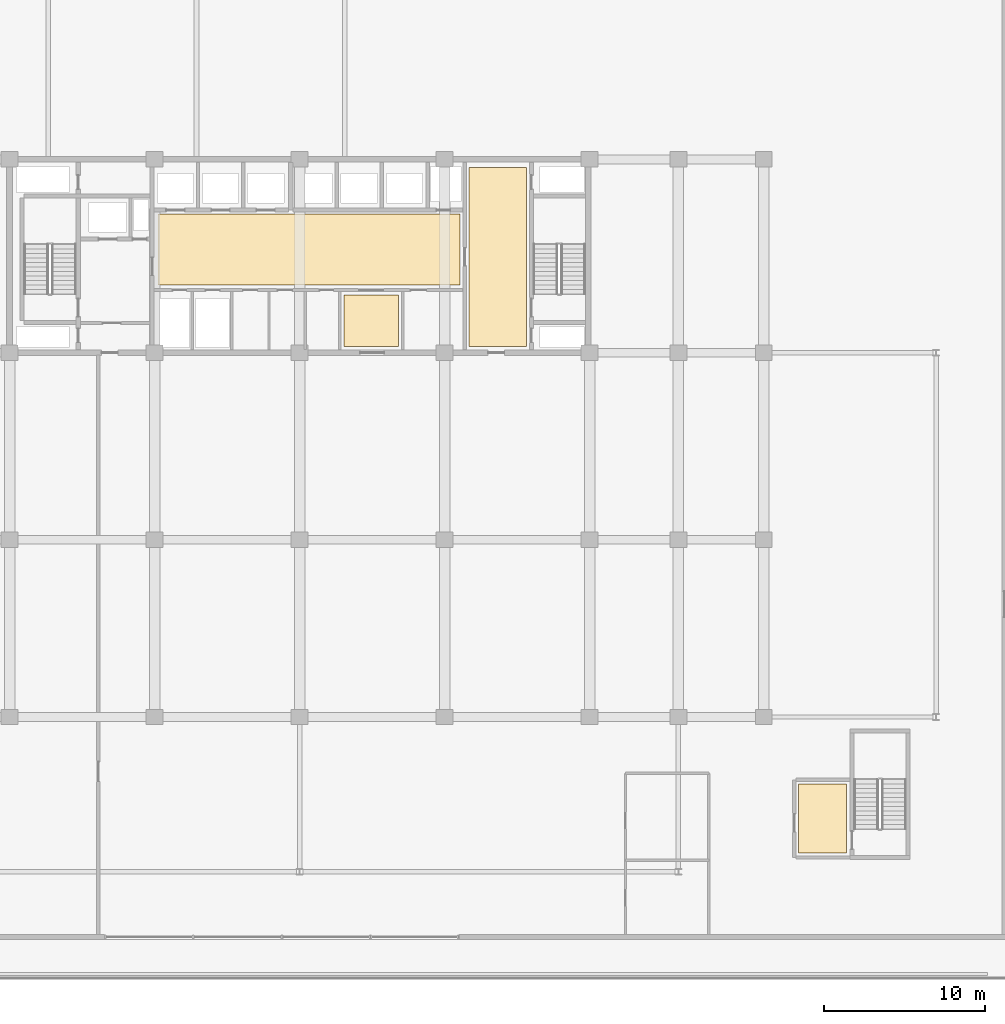
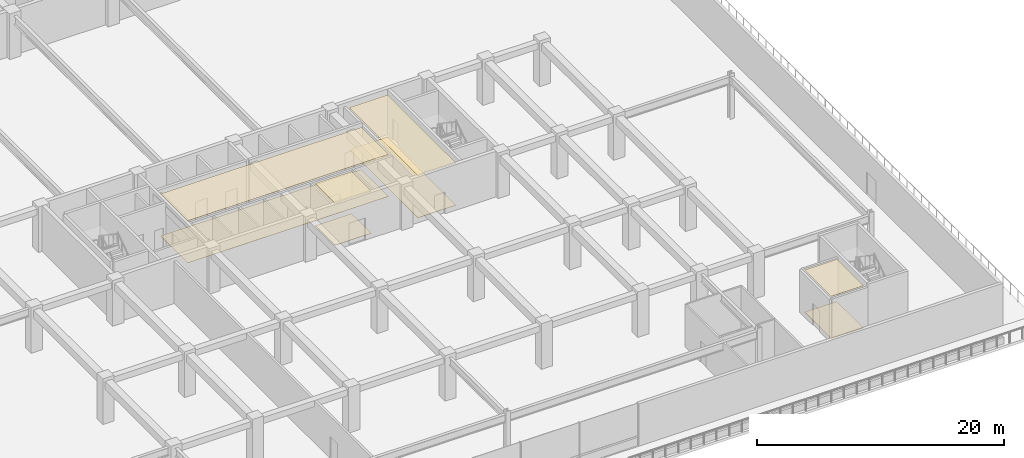
# One storey, part 33 of 40: 8 coverings.
"""IFC4 building model written with IfcOpenShell, lengths in metres."""

from ifc_helpers import new_model, si_unit, direction, frame, origin, place, context, subcontext, project, spatial, polyline, outline, extrude, material, layer, layer_set, type_object, element, save


model = new_model("IFC4")

# Units and contexts
model_context = context("Model", 3, precision=1e-05, world=origin(), true_north=direction((0.0, 1.0)))
body_context = subcontext(model_context, "Body", "Model", "MODEL_VIEW")
ifc_project = project(units=[si_unit("LENGTHUNIT", "METRE"), si_unit("AREAUNIT", "SQUARE_METRE"), si_unit("VOLUMEUNIT", "CUBIC_METRE"), si_unit("PLANEANGLEUNIT", "RADIAN"), si_unit("MASSUNIT", "GRAM", prefix="KILO")], contexts=[model_context])

# Site, building, storey
site_placement = place(None, origin())
site = spatial("IfcSite", under=ifc_project, at=site_placement, CompositionType="ELEMENT")
building_placement = place(site_placement, origin())
building = spatial("IfcBuilding", under=site, at=building_placement, Name="Korimba Cascade Residences", CompositionType="ELEMENT")
storey_placement = place(building_placement, frame((0.0, 0.0, 14.5)))
storey = spatial("IfcBuildingStorey", under=building, at=storey_placement, Name="L03", CompositionType="ELEMENT", Elevation=14.5)

# Coverings
ifc_material_1 = material(Name="Perforated Acoustic Gypsum Ceiling", Category="gypsum")
ifc_layer_1 = layer(ifc_material_1, 0.02490234375)
ifc_layer_set_1 = layer_set([ifc_layer_1], Name="Perforated Acoustic Gypsum Ceiling")
covering_type_1 = type_object("IfcCoveringType", Name="COV-CLG-AC", PredefinedType="CEILING", material=ifc_layer_set_1)
covering_1_placement = place(storey_placement, frame((0.0, 0.0, 4.155029296875)))
element("IfcCovering", 1, at=covering_1_placement, inside=storey, type_object=covering_type_1, Name="L03 Suspended Acoustic Ceiling L03-LL2", PredefinedType="CEILING", context=body_context, shape_type="SweptSolid", body=[
    extrude(outline(polyline([(91.300048828125, 22.60009765625), (110.050048828125, 22.60009765625), (110.050048828125, 27.0), (91.300048828125, 27.0), (91.300048828125, 22.60009765625)])), origin(), (0.0, 0.0, 1.0), 0.02490234375),
])
covering_2_placement = place(storey_placement, frame((0.0, 0.0, 4.155029296875)))
element("IfcCovering", 2, at=covering_2_placement, inside=storey, type_object=covering_type_1, Name="L03 Suspended Acoustic Ceiling L03-LT2", PredefinedType="CEILING", context=body_context, shape_type="SweptSolid", body=[
    extrude(outline(polyline([(102.85009765625, 18.800048828125), (106.25, 18.800048828125), (106.25, 22.0), (102.85009765625, 22.0), (102.85009765625, 18.800048828125)])), origin(), (0.0, 0.0, 1.0), 0.02490234375),
])
covering_3_placement = place(storey_placement, frame((0.0, 0.0, 4.155029296875)))
element("IfcCovering", 3, at=covering_3_placement, inside=storey, type_object=covering_type_1, Name="L03 Suspended Acoustic Ceiling L03-EV2", PredefinedType="CEILING", context=body_context, shape_type="SweptSolid", body=[
    extrude(outline(polyline([(110.60009765625, 18.800048828125), (114.169921875, 18.800048828125), (114.169921875, 29.89990234375), (110.60009765625, 29.89990234375), (110.60009765625, 18.800048828125)])), origin(), (0.0, 0.0, 1.0), 0.02490234375),
])
covering_4_placement = place(storey_placement, frame((0.0, 0.0, 4.155029296875)))
element("IfcCovering", 4, at=covering_4_placement, inside=storey, type_object=covering_type_1, Name="L03 Suspended Acoustic Ceiling L03-PL6", PredefinedType="CEILING", context=body_context, shape_type="SweptSolid", body=[
    extrude(outline(polyline([(131.050048828125, -12.64990234375), (134.050048828125, -12.64990234375), (134.050048828125, -8.35009765625), (131.050048828125, -8.35009765625), (131.050048828125, -12.64990234375)])), origin(), (0.0, 0.0, 1.0), 0.02490234375),
])
ifc_material_2 = material(Name="Honed Travertine Stone Flooring", Category="masonry")
ifc_layer_2 = layer(ifc_material_2, 0.02490234375)
ifc_layer_set_2 = layer_set([ifc_layer_2], Name="Honed Travertine Stone Flooring")
covering_type_2 = type_object("IfcCoveringType", Name="COV-FLR-STN", PredefinedType="FLOORING", material=ifc_layer_set_2)
covering_5_placement = place(storey_placement, origin())
element("IfcCovering", 5, at=covering_5_placement, inside=storey, type_object=covering_type_2, Name="L03 Honed Travertine Stone Flooring L03-LL2", PredefinedType="FLOORING", context=body_context, shape_type="SweptSolid", body=[
    extrude(outline(polyline([(91.300048828125, 22.60009765625), (110.050048828125, 22.60009765625), (110.050048828125, 27.0), (91.300048828125, 27.0), (91.300048828125, 22.60009765625)])), origin(), (0.0, 0.0, 1.0), 0.02490234375),
])
covering_6_placement = place(storey_placement, origin())
element("IfcCovering", 6, at=covering_6_placement, inside=storey, type_object=covering_type_2, Name="L03 Honed Travertine Stone Flooring L03-LT2", PredefinedType="FLOORING", context=body_context, shape_type="SweptSolid", body=[
    extrude(outline(polyline([(102.85009765625, 18.800048828125), (106.25, 18.800048828125), (106.25, 22.0), (102.85009765625, 22.0), (102.85009765625, 18.800048828125)])), origin(), (0.0, 0.0, 1.0), 0.02490234375),
])
covering_7_placement = place(storey_placement, origin())
element("IfcCovering", 7, at=covering_7_placement, inside=storey, type_object=covering_type_2, Name="L03 Honed Travertine Stone Flooring L03-EV2", PredefinedType="FLOORING", context=body_context, shape_type="SweptSolid", body=[
    extrude(outline(polyline([(110.60009765625, 18.800048828125), (114.169921875, 18.800048828125), (114.169921875, 29.89990234375), (110.60009765625, 29.89990234375), (110.60009765625, 18.800048828125)])), origin(), (0.0, 0.0, 1.0), 0.02490234375),
])
covering_8_placement = place(storey_placement, origin())
element("IfcCovering", 8, at=covering_8_placement, inside=storey, type_object=covering_type_2, Name="L03 Honed Travertine Stone Flooring L03-PL6", PredefinedType="FLOORING", context=body_context, shape_type="SweptSolid", body=[
    extrude(outline(polyline([(131.050048828125, -12.64990234375), (134.050048828125, -12.64990234375), (134.050048828125, -8.35009765625), (131.050048828125, -8.35009765625), (131.050048828125, -12.64990234375)])), origin(), (0.0, 0.0, 1.0), 0.02490234375),
])

save(model, "model.ifc")
